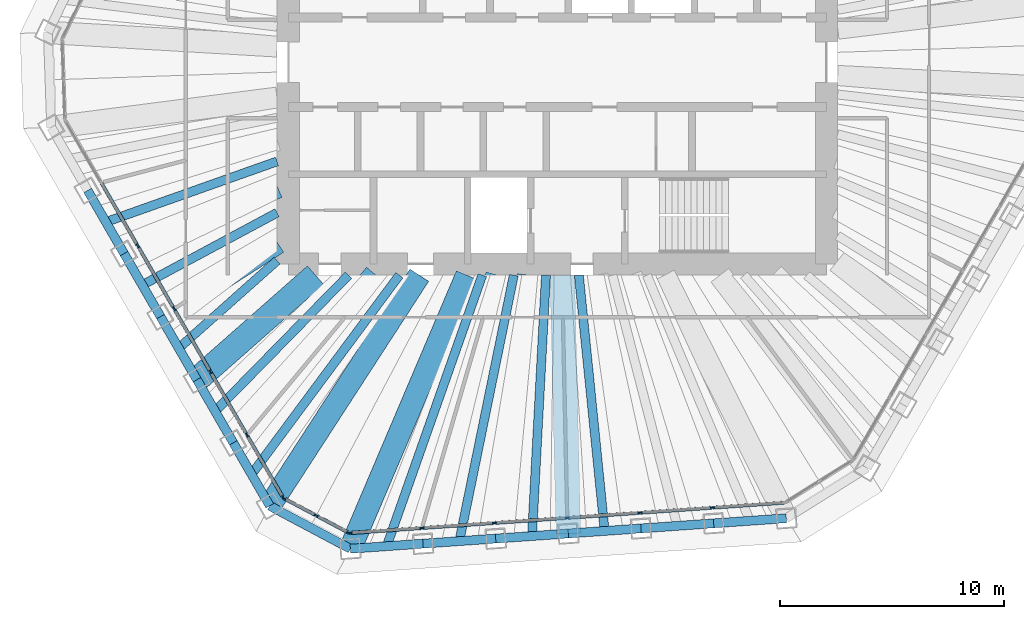
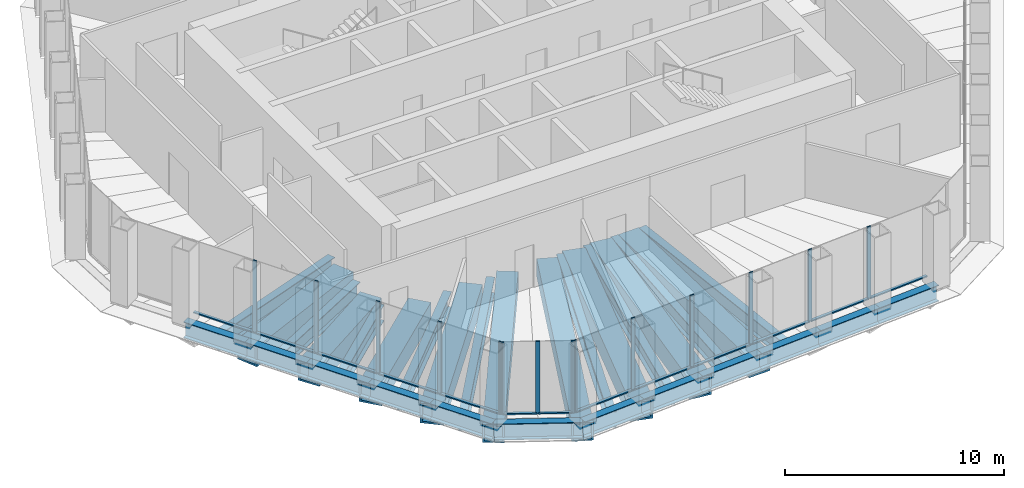
# One storey, part 2 of 14: 30 beams, 27 members, 3 elements without a shape of their own.
"""IFC4 building model written with IfcOpenShell, lengths in metres."""

import ifcopenshell
import ifcopenshell.guid

model = None  # the IFC model being written
_history = None  # IfcOwnerHistory: only IFC2X3 demands one
_inside = {}  # id of a spatial element -> (the spatial element, [elements in it])
_under = {}  # id of a project, library or spatial element -> (it, [spatial elements below it])
_declared = {}  # id of a project -> (the project, [libraries it declares])
_typed = {}  # id of a type object -> (the type object, [elements of that type])
_made_of = {}  # id of a material, layer set ... -> (it, [elements and type objects made of it])


def new_model(schema):
    """Start an empty IFC model of exactly this schema.

    Asked for "IFC4X3", IfcOpenShell would pick the latest addendum, in which some entities
    have other attributes; the version numbers below select the first issue.
    IFC2X3 requires an IfcOwnerHistory on every rooted entity: one is made here for all.
    """
    global model, _history
    if schema == "IFC4X3":
        model = ifcopenshell.file(schema_version=(4, 3, 0, 0))
    else:
        model = ifcopenshell.file(schema=schema)
    _inside.clear()
    _under.clear()
    _declared.clear()
    _typed.clear()
    _made_of.clear()
    _history = None
    if model.schema == "IFC2X3":
        org = make("IfcOrganization", Name="unknown")
        user = make(
            "IfcPersonAndOrganization",
            ThePerson=make("IfcPerson", FamilyName="unknown"),
            TheOrganization=org,
        )
        app = make(
            "IfcApplication",
            ApplicationDeveloper=org,
            Version="unknown",
            ApplicationFullName="unknown",
            ApplicationIdentifier="unknown",
        )
        _history = make(
            "IfcOwnerHistory",
            OwningUser=user,
            OwningApplication=app,
            ChangeAction="ADDED",
            CreationDate=0,
        )
    return model


def make(cls, **values):
    """One entity of the class cls with the attributes given. An attribute that is None is left unset."""
    return model.create_entity(
        cls, **{name: value for name, value in values.items() if value is not None}
    )


def rooted(cls, **values):
    """An entity with a GlobalId (a new one), such as an element, a storey or a relation."""
    return make(cls, GlobalId=ifcopenshell.guid.new(), OwnerHistory=_history, **values)


def si_unit(unit_type, name, prefix=None):
    """IfcSIUnit, for example si_unit("LENGTHUNIT", "METRE", prefix="MILLI")."""
    return make("IfcSIUnit", UnitType=unit_type, Prefix=prefix, Name=name)


def assignment(units):
    """IfcUnitAssignment: the units of a project."""
    return None if units is None else make("IfcUnitAssignment", Units=units)


def point(xyz):
    """IfcCartesianPoint."""
    return None if xyz is None else make("IfcCartesianPoint", Coordinates=xyz)


def direction(xyz):
    """IfcDirection."""
    return None if xyz is None else make("IfcDirection", DirectionRatios=xyz)


def frame(location, z_axis=None, x_axis=None):
    """IfcAxis2Placement3D, a coordinate frame: its origin and axes. An axis left out is left unset."""
    return make(
        "IfcAxis2Placement3D",
        Location=point(location),
        Axis=direction(z_axis),
        RefDirection=direction(x_axis),
    )


def frame_2d(location, x_axis=None):
    """IfcAxis2Placement2D, a coordinate frame in the plane: its origin and x axis."""
    return make(
        "IfcAxis2Placement2D", Location=point(location), RefDirection=direction(x_axis)
    )


def origin():
    """The frame at (0, 0, 0) with its axes left unset."""
    return frame((0.0, 0.0, 0.0))


def origin_2d():
    """The frame at (0, 0) in the plane with its x axis left unset."""
    return frame_2d((0.0, 0.0))


def place(relative_to, where):
    """IfcLocalPlacement: puts the frame where relative to a parent placement (None: the world)."""
    return make(
        "IfcLocalPlacement", PlacementRelTo=relative_to, RelativePlacement=where
    )


def context(
    kind, dimensions, precision=None, world=None, true_north=None, identifier=None
):
    """IfcGeometricRepresentationContext, for example the 3D "Model" context."""
    return make(
        "IfcGeometricRepresentationContext",
        ContextIdentifier=identifier,
        ContextType=kind,
        CoordinateSpaceDimension=dimensions,
        Precision=precision,
        WorldCoordinateSystem=world,
        TrueNorth=true_north,
    )


def subcontext(parent, identifier, kind, view, scale=None):
    """IfcGeometricRepresentationSubContext, for example "Body" below "Model"."""
    return make(
        "IfcGeometricRepresentationSubContext",
        ContextIdentifier=identifier,
        ContextType=kind,
        ParentContext=parent,
        TargetScale=scale,
        TargetView=view,
    )


def project(units=None, contexts=None):
    """IfcProject with its units and contexts."""
    return rooted(
        "IfcProject",
        Name="project",
        RepresentationContexts=contexts,
        UnitsInContext=assignment(units),
    )


def spatial(cls, under=None, at=None, **own):
    """A site, building, storey or space (cls), placed at a placement, below another one or the project."""
    s = rooted(cls, ObjectPlacement=at, **own)
    if under is not None:
        _under.setdefault(under.id(), (under, []))[1].append(s)
    return s


def profile(cls, at=None, kind="AREA", **sizes):
    """A parametric profile (cls). Its sizes go by their IFC names, for example OverallWidth=200.0."""
    return make(cls, ProfileType=kind, Position=at, **sizes)


def rectangle(**sizes):
    """IfcRectangleProfileDef."""
    return profile("IfcRectangleProfileDef", **sizes)


def hollow_rectangle(**sizes):
    """IfcRectangleHollowProfileDef."""
    return profile("IfcRectangleHollowProfileDef", **sizes)


def i_section(**sizes):
    """IfcIShapeProfileDef."""
    return profile("IfcIShapeProfileDef", **sizes)


def extrude(swept, where, along, depth):
    """IfcExtrudedAreaSolid: the profile swept, set in the frame where, extruded along a direction by depth."""
    return make(
        "IfcExtrudedAreaSolid",
        SweptArea=swept,
        Position=where,
        ExtrudedDirection=direction(along),
        Depth=depth,
    )


def shape(context_of_items, identifier, shape_type, items):
    """IfcShapeRepresentation: the items that make up one representation, for example the "Body"."""
    return make(
        "IfcShapeRepresentation",
        ContextOfItems=context_of_items,
        RepresentationIdentifier=identifier,
        RepresentationType=shape_type,
        Items=items,
    )


def material(Name=None, Category=None):
    """IfcMaterial."""
    return make("IfcMaterial", Name=Name, Category=Category)


def material_profile(
    of_material, cross_section, Name=None, Category=None, Priority=None
):
    """IfcMaterialProfile: a cross section and its material."""
    return make(
        "IfcMaterialProfile",
        Name=Name,
        Material=of_material,
        Profile=cross_section,
        Priority=Priority,
        Category=Category,
    )


def profile_set(profiles, Name=None, composite=None):
    """IfcMaterialProfileSet."""
    return make(
        "IfcMaterialProfileSet",
        Name=Name,
        MaterialProfiles=profiles,
        CompositeProfile=composite,
    )


def made_of(thing, what):
    """Note that an element or type object is made of a material, layer set ...; save() writes the relation."""
    if what is not None:
        _made_of.setdefault(what.id(), (what, []))[1].append(thing)
    return thing


def type_object(cls, material=None, **own):
    """A type object (cls), such as IfcWallType, which elements share."""
    return made_of(rooted(cls, **own), material)


def element(
    cls,
    number,
    at=None,
    inside=None,
    cuts=None,
    type_object=None,
    material=None,
    context=None,
    identifier="Body",
    shape_type=None,
    held_by="IfcProductDefinitionShape",
    body=None,
    shapes=None,
    **own,
):
    """One element of the class cls, such as IfcWall. Its Tag is "e" and its number.

    at: its placement. inside: the storey or other place that contains it. cuts: it is an
    opening in that element (IfcRelVoidsElement). A single representation is given by context,
    identifier, shape_type and body (its items); several are given by shapes. held_by: the class
    of the entity that holds the representations. save() writes the other relations.
    """
    e = rooted(cls, Tag="e%d" % number, ObjectPlacement=at, **own)
    if body is not None:
        shapes = [shape(context, identifier, shape_type, body)]
    if shapes is not None:
        e.Representation = make(held_by, Representations=shapes)
    if inside is not None:
        _inside.setdefault(inside.id(), (inside, []))[1].append(e)
    if cuts is not None:
        rooted(
            "IfcRelVoidsElement", RelatingBuildingElement=cuts, RelatedOpeningElement=e
        )
    if type_object is not None:
        _typed.setdefault(type_object.id(), (type_object, []))[1].append(e)
    return made_of(e, material)


def aggregate(whole, parts):
    """IfcRelAggregates: a whole, such as a stair, and the parts it consists of."""
    return rooted("IfcRelAggregates", RelatingObject=whole, RelatedObjects=parts)


def save(model, path):
    """Write the relations noted so far, then the file.

    IfcRelAggregates (storeys below a building ...), IfcRelContainedInSpatialStructure (elements
    in a storey), IfcRelDefinesByType, IfcRelAssociatesMaterial and IfcRelDeclares: one each for
    every whole, place, type object, material and project.
    """
    for whole, parts in _under.values():
        aggregate(whole, parts)
    for where, things in _inside.values():
        rooted(
            "IfcRelContainedInSpatialStructure",
            RelatedElements=things,
            RelatingStructure=where,
        )
    for kind, things in _typed.values():
        rooted("IfcRelDefinesByType", RelatedObjects=things, RelatingType=kind)
    for what, things in _made_of.values():
        rooted("IfcRelAssociatesMaterial", RelatedObjects=things, RelatingMaterial=what)
    for by, libraries in _declared.values():
        rooted("IfcRelDeclares", RelatingContext=by, RelatedDefinitions=libraries)
    model.write(path)


model = new_model("IFC4")

# Units and contexts
model_context = context("Model", 3, precision=1e-05, world=origin(), true_north=direction((0.0, 1.0)))
body_context = subcontext(model_context, "Body", "Model", "MODEL_VIEW")
ifc_project = project(units=[si_unit("LENGTHUNIT", "METRE"), si_unit("AREAUNIT", "SQUARE_METRE"), si_unit("VOLUMEUNIT", "CUBIC_METRE"), si_unit("PLANEANGLEUNIT", "RADIAN"), si_unit("MASSUNIT", "GRAM", prefix="KILO")], contexts=[model_context])

# Site, building, storey
site_placement = place(None, origin())
site = spatial("IfcSite", under=ifc_project, at=site_placement, CompositionType="ELEMENT")
building_placement = place(site_placement, origin())
building = spatial("IfcBuilding", under=site, at=building_placement, Name="Qingtian Harvest Tower", CompositionType="ELEMENT")
storey_placement = place(building_placement, frame((0.0, 0.0, 299.800048828125)))
storey = spatial("IfcBuildingStorey", under=building, at=storey_placement, Name="L66", CompositionType="ELEMENT", Elevation=299.800048828125)

# Beams
ifc_material_1 = material(Name="Steel SN490B", Category="steel")
ifc_material_profile_1 = material_profile(ifc_material_1, i_section(OverallWidth=0.39990234375, OverallDepth=0.89990234375, WebThickness=0.01904296875, FlangeThickness=0.035888671875, at=origin_2d()), Name="H900x400x19x36")
ifc_profile_set_1 = profile_set([ifc_material_profile_1], Name="Steel SN490B")
beam_type_1 = type_object("IfcBeamType", Name="Floor joist J4 H900x400x19x36", PredefinedType="JOIST", material=ifc_profile_set_1)
beam_1_placement = place(storey_placement, frame((2.109130859375, -20.90380859375, -0.6201171875), z_axis=(-0.100389444623, 0.994948219461, 0.0), x_axis=(-0.994948219461, -0.100389444623, 0.0)))
element("IfcBeam", 1, at=beam_1_placement, inside=storey, type_object=beam_type_1, Name="Floor joist J4 S2", PredefinedType="JOIST", context=body_context, shape_type="SweptSolid", body=[
    extrude(i_section(OverallWidth=0.39990234375, OverallDepth=0.89990234375, WebThickness=0.01904296875, FlangeThickness=0.035888671875, at=origin_2d()), origin(), (0.0, 0.0, 1.0), 11.461669921875),
])
beam_2_placement = place(storey_placement, frame((-1.130859375, -21.13037109375, -0.6201171875), z_axis=(0.053431269754, 0.998571529442, 0.0), x_axis=(-0.998571529442, 0.053431269754, 0.0)))
element("IfcBeam", 2, at=beam_2_placement, inside=storey, type_object=beam_type_1, Name="Floor joist J4 S3", PredefinedType="JOIST", context=body_context, shape_type="SweptSolid", body=[
    extrude(i_section(OverallWidth=0.39990234375, OverallDepth=0.89990234375, WebThickness=0.01904296875, FlangeThickness=0.035888671875, at=origin_2d()), origin(), (0.0, 0.0, 1.0), 11.64697265625),
])
beam_3_placement = place(storey_placement, frame((-4.37109375, -21.35693359375, -0.6201171875), z_axis=(0.20051328843, 0.979690982485, 0.0), x_axis=(-0.979690982485, 0.20051328843, 0.0)))
element("IfcBeam", 3, at=beam_3_placement, inside=storey, type_object=beam_type_1, Name="Floor joist J4 S4", PredefinedType="JOIST", context=body_context, shape_type="SweptSolid", body=[
    extrude(i_section(OverallWidth=0.39990234375, OverallDepth=0.89990234375, WebThickness=0.01904296875, FlangeThickness=0.035888671875, at=origin_2d()), origin(), (0.0, 0.0, 1.0), 12.102783203125),
])
beam_4_placement = place(storey_placement, frame((-7.611083984375, -21.58349609375, -0.6201171875), z_axis=(0.332557973755, 0.943082814016, 0.0), x_axis=(-0.943082814016, 0.332557973755, 0.0)))
element("IfcBeam", 4, at=beam_4_placement, inside=storey, type_object=beam_type_1, Name="Floor joist J4 S5", PredefinedType="JOIST", context=body_context, shape_type="SweptSolid", body=[
    extrude(i_section(OverallWidth=0.39990234375, OverallDepth=0.89990234375, WebThickness=0.01904296875, FlangeThickness=0.035888671875, at=origin_2d()), origin(), (0.0, 0.0, 1.0), 12.812744140625),
])
beam_5_placement = place(storey_placement, frame((-13.637451171875, -18.37939453125, -0.6201171875), z_axis=(0.59587265023, 0.80307894052, 0.0), x_axis=(-0.80307894052, 0.59587265023, 0.0)))
element("IfcBeam", 5, at=beam_5_placement, inside=storey, type_object=beam_type_1, Name="Floor joist J4 SW0", PredefinedType="JOIST", context=body_context, shape_type="SweptSolid", body=[
    extrude(i_section(OverallWidth=0.39990234375, OverallDepth=0.89990234375, WebThickness=0.01904296875, FlangeThickness=0.035888671875, at=origin_2d()), origin(), (0.0, 0.0, 1.0), 11.056640625),
])
beam_6_placement = place(storey_placement, frame((-15.261474609375, -15.56640625, -0.6201171875), z_axis=(0.700074571426, 0.714069740602, 0.0), x_axis=(-0.714069740602, 0.700074571426, 0.0)))
element("IfcBeam", 6, at=beam_6_placement, inside=storey, type_object=beam_type_1, Name="Floor joist J4 SW1", PredefinedType="JOIST", context=body_context, shape_type="SweptSolid", body=[
    extrude(i_section(OverallWidth=0.39990234375, OverallDepth=0.89990234375, WebThickness=0.01904296875, FlangeThickness=0.035888671875, at=origin_2d()), origin(), (0.0, 0.0, 1.0), 8.49560546875),
])
beam_7_placement = place(storey_placement, frame((-16.885498046875, -12.753662109375, -0.6201171875), z_axis=(0.746957180478, 0.664872146004, 0.0), x_axis=(-0.664872146004, 0.746957180478, 0.0)))
element("IfcBeam", 7, at=beam_7_placement, inside=storey, type_object=beam_type_1, Name="Floor joist J4 SW2", PredefinedType="JOIST", context=body_context, shape_type="SweptSolid", body=[
    extrude(i_section(OverallWidth=0.39990234375, OverallDepth=0.89990234375, WebThickness=0.01904296875, FlangeThickness=0.035888671875, at=origin_2d()), origin(), (0.0, 0.0, 1.0), 5.87109375),
])
beam_8_placement = place(storey_placement, frame((-18.509521484375, -9.940673828125, -0.6201171875), z_axis=(0.880981997123, 0.473149786795, 0.0), x_axis=(-0.473149786795, 0.880981997123, 0.0)))
element("IfcBeam", 8, at=beam_8_placement, inside=storey, type_object=beam_type_1, Name="Floor joist J4 SW3", PredefinedType="JOIST", context=body_context, shape_type="SweptSolid", body=[
    extrude(i_section(OverallWidth=0.39990234375, OverallDepth=0.89990234375, WebThickness=0.01904296875, FlangeThickness=0.035888671875, at=origin_2d()), origin(), (0.0, 0.0, 1.0), 6.8212890625),
])
beam_9_placement = place(storey_placement, frame((-20.133544921875, -7.1279296875, -0.6201171875), z_axis=(0.942662600818, 0.333747241215, 0.0), x_axis=(-0.333747241215, 0.942662600818, 0.0)))
element("IfcBeam", 9, at=beam_9_placement, inside=storey, type_object=beam_type_1, Name="Floor joist J4 SW4", PredefinedType="JOIST", context=body_context, shape_type="SweptSolid", body=[
    extrude(i_section(OverallWidth=0.39990234375, OverallDepth=0.89990234375, WebThickness=0.01904296875, FlangeThickness=0.035888671875, at=origin_2d()), origin(), (0.0, 0.0, 1.0), 8.097900390625),
])

# Curtain wall, members
ifc_material_2 = material(Name="Bronze-anodised aluminium curtain wall", Category="aluminium")
curtain_wall_type = type_object("IfcCurtainWallType", Name="Curtain wall CW5 upper office", PredefinedType="USERDEFINED", material=ifc_material_2)
curtain_wall_1_placement = place(storey_placement, origin())
curtain_wall_1 = element("IfcCurtainWall", 10, at=curtain_wall_1_placement, inside=storey, type_object=curtain_wall_type, Name="Curtain wall CW5 L66 S0-5", ObjectType="RECESSED CURTAIN WALL", PredefinedType="USERDEFINED")
ifc_material_3 = material(Name="Bronze-anodised aluminium mullion", Category="aluminium")
ifc_material_profile_2 = material_profile(ifc_material_3, rectangle(XDim=0.06494140625, YDim=0.199951171875, at=origin_2d()), Name="AL 65x200")
ifc_profile_set_2 = profile_set([ifc_material_profile_2], Name="Bronze-anodised aluminium mullion")
member_type_1 = type_object("IfcMemberType", Name="Mullion CWM 65x200", PredefinedType="MULLION", material=ifc_profile_set_2)
member_1_placement = place(storey_placement, frame((6.92041015625, -19.86572265625, 0.0), z_axis=(0.0, 0.0, 1.0), x_axis=(0.069756473744, -0.99756405026, 0.0)))
member_1 = element("IfcMember", 11, at=member_1_placement, type_object=member_type_1, Name="CW5 mullion 2", PredefinedType="MULLION", context=body_context, shape_type="SweptSolid", body=[
    extrude(rectangle(XDim=0.06494140625, YDim=0.199951171875, at=origin_2d()), origin(), (0.0, 0.0, 1.0), 4.030029296875),
])
member_2_placement = place(storey_placement, frame((3.680419921875, -20.09228515625, 0.0), z_axis=(0.0, 0.0, 1.0), x_axis=(0.069756473744, -0.99756405026, 0.0)))
member_2 = element("IfcMember", 12, at=member_2_placement, type_object=member_type_1, Name="CW5 mullion 3", PredefinedType="MULLION", context=body_context, shape_type="SweptSolid", body=[
    extrude(rectangle(XDim=0.06494140625, YDim=0.199951171875, at=origin_2d()), origin(), (0.0, 0.0, 1.0), 4.030029296875),
])
member_3_placement = place(storey_placement, frame((0.440185546875, -20.31884765625, 0.0), z_axis=(0.0, 0.0, 1.0), x_axis=(0.069756473744, -0.99756405026, 0.0)))
member_3 = element("IfcMember", 13, at=member_3_placement, type_object=member_type_1, Name="CW5 mullion 4", PredefinedType="MULLION", context=body_context, shape_type="SweptSolid", body=[
    extrude(rectangle(XDim=0.06494140625, YDim=0.199951171875, at=origin_2d()), origin(), (0.0, 0.0, 1.0), 4.030029296875),
])
member_4_placement = place(storey_placement, frame((-2.7998046875, -20.54541015625, 0.0), z_axis=(0.0, 0.0, 1.0), x_axis=(0.069756473744, -0.99756405026, 0.0)))
member_4 = element("IfcMember", 14, at=member_4_placement, type_object=member_type_1, Name="CW5 mullion 5", PredefinedType="MULLION", context=body_context, shape_type="SweptSolid", body=[
    extrude(rectangle(XDim=0.06494140625, YDim=0.199951171875, at=origin_2d()), origin(), (0.0, 0.0, 1.0), 4.030029296875),
])
member_5_placement = place(storey_placement, frame((-6.0400390625, -20.77197265625, 0.0), z_axis=(0.0, 0.0, 1.0), x_axis=(0.069756473744, -0.99756405026, 0.0)))
member_5 = element("IfcMember", 15, at=member_5_placement, type_object=member_type_1, Name="CW5 mullion 6", PredefinedType="MULLION", context=body_context, shape_type="SweptSolid", body=[
    extrude(rectangle(XDim=0.06494140625, YDim=0.199951171875, at=origin_2d()), origin(), (0.0, 0.0, 1.0), 4.030029296875),
])
member_6_placement = place(storey_placement, frame((-9.24755859375, -20.996337890625, 0.0), z_axis=(0.0, 0.0, 1.0), x_axis=(0.069756473744, -0.99756405026, 0.0)))
member_6 = element("IfcMember", 16, at=member_6_placement, type_object=member_type_1, Name="CW5 mullion 7", PredefinedType="MULLION", context=body_context, shape_type="SweptSolid", body=[
    extrude(rectangle(XDim=0.06494140625, YDim=0.199951171875, at=origin_2d()), origin(), (0.0, 0.0, 1.0), 4.030029296875),
])

curtain_wall_2_placement = place(storey_placement, origin())
curtain_wall_2 = element("IfcCurtainWall", 17, at=curtain_wall_2_placement, inside=storey, type_object=curtain_wall_type, Name="Curtain wall CW5 L66 SC", ObjectType="RECESSED CURTAIN WALL", PredefinedType="USERDEFINED")
member_7_placement = place(storey_placement, frame((-9.308837890625, -20.983154296875, 0.0), z_axis=(0.0, 0.0, 1.0), x_axis=(-0.469471562786, -0.882947592859, 0.0)))
member_7 = element("IfcMember", 18, at=member_7_placement, type_object=member_type_1, Name="CW5 mullion 1", PredefinedType="MULLION", context=body_context, shape_type="SweptSolid", body=[
    extrude(rectangle(XDim=0.06494140625, YDim=0.199951171875, at=origin_2d()), origin(), (0.0, 0.0, 1.0), 4.030029296875),
])
member_8_placement = place(storey_placement, frame((-10.749755859375, -20.217041015625, 0.0), z_axis=(0.0, 0.0, 1.0), x_axis=(-0.469471562786, -0.882947592859, 0.0)))
member_8 = element("IfcMember", 19, at=member_8_placement, type_object=member_type_1, Name="CW5 mullion 2", PredefinedType="MULLION", context=body_context, shape_type="SweptSolid", body=[
    extrude(rectangle(XDim=0.06494140625, YDim=0.199951171875, at=origin_2d()), origin(), (0.0, 0.0, 1.0), 4.030029296875),
])
member_9_placement = place(storey_placement, frame((-12.1904296875, -19.450927734375, 0.0), z_axis=(0.0, 0.0, 1.0), x_axis=(-0.469471562786, -0.882947592859, 0.0)))
member_9 = element("IfcMember", 20, at=member_9_placement, type_object=member_type_1, Name="CW5 mullion 3", PredefinedType="MULLION", context=body_context, shape_type="SweptSolid", body=[
    extrude(rectangle(XDim=0.06494140625, YDim=0.199951171875, at=origin_2d()), origin(), (0.0, 0.0, 1.0), 4.030029296875),
])

curtain_wall_3_placement = place(storey_placement, origin())
curtain_wall_3 = element("IfcCurtainWall", 21, at=curtain_wall_3_placement, inside=storey, type_object=curtain_wall_type, Name="Curtain wall CW5 L66 SW0-5", ObjectType="RECESSED CURTAIN WALL", PredefinedType="USERDEFINED")
member_10_placement = place(storey_placement, frame((-12.2353515625, -19.40771484375, 0.0), z_axis=(0.0, 0.0, 1.0), x_axis=(-0.866025403784, -0.5, 0.0)))
member_10 = element("IfcMember", 22, at=member_10_placement, type_object=member_type_1, Name="CW5 mullion 1", PredefinedType="MULLION", context=body_context, shape_type="SweptSolid", body=[
    extrude(rectangle(XDim=0.06494140625, YDim=0.199951171875, at=origin_2d()), origin(), (0.0, 0.0, 1.0), 4.030029296875),
])
member_11_placement = place(storey_placement, frame((-13.84326171875, -16.622802734375, 0.0), z_axis=(0.0, 0.0, 1.0), x_axis=(-0.866025403784, -0.5, 0.0)))
member_11 = element("IfcMember", 23, at=member_11_placement, type_object=member_type_1, Name="CW5 mullion 2", PredefinedType="MULLION", context=body_context, shape_type="SweptSolid", body=[
    extrude(rectangle(XDim=0.06494140625, YDim=0.199951171875, at=origin_2d()), origin(), (0.0, 0.0, 1.0), 4.030029296875),
])
member_12_placement = place(storey_placement, frame((-15.46728515625, -13.81005859375, 0.0), z_axis=(0.0, 0.0, 1.0), x_axis=(-0.866025403784, -0.5, 0.0)))
member_12 = element("IfcMember", 24, at=member_12_placement, type_object=member_type_1, Name="CW5 mullion 3", PredefinedType="MULLION", context=body_context, shape_type="SweptSolid", body=[
    extrude(rectangle(XDim=0.06494140625, YDim=0.199951171875, at=origin_2d()), origin(), (0.0, 0.0, 1.0), 4.030029296875),
])
member_13_placement = place(storey_placement, frame((-17.09130859375, -10.9970703125, 0.0), z_axis=(0.0, 0.0, 1.0), x_axis=(-0.866025403784, -0.5, 0.0)))
member_13 = element("IfcMember", 25, at=member_13_placement, type_object=member_type_1, Name="CW5 mullion 4", PredefinedType="MULLION", context=body_context, shape_type="SweptSolid", body=[
    extrude(rectangle(XDim=0.06494140625, YDim=0.199951171875, at=origin_2d()), origin(), (0.0, 0.0, 1.0), 4.030029296875),
])
member_14_placement = place(storey_placement, frame((-18.71533203125, -8.184326171875, 0.0), z_axis=(0.0, 0.0, 1.0), x_axis=(-0.866025403784, -0.5, 0.0)))
member_14 = element("IfcMember", 26, at=member_14_placement, type_object=member_type_1, Name="CW5 mullion 5", PredefinedType="MULLION", context=body_context, shape_type="SweptSolid", body=[
    extrude(rectangle(XDim=0.06494140625, YDim=0.199951171875, at=origin_2d()), origin(), (0.0, 0.0, 1.0), 4.030029296875),
])

# Beams
ifc_material_4 = material(Name="Steel SN490B", Category="steel")
ifc_material_profile_3 = material_profile(ifc_material_4, i_section(OverallWidth=0.39990234375, OverallDepth=0.89990234375, WebThickness=0.01904296875, FlangeThickness=0.035888671875, at=origin_2d()), Name="H900x400x19x36")
ifc_profile_set_3 = profile_set([ifc_material_profile_3], Name="Steel SN490B")
beam_type_2 = type_object("IfcBeamType", Name="Spandrel beam SB4 H900x400x19x36", PredefinedType="SPANDREL", material=ifc_profile_set_3)
beam_10_placement = place(storey_placement, frame((10.20947265625, -20.33740234375, -0.449951171875), z_axis=(-0.9975644093, -0.069751339047, 0.0), x_axis=(0.069751339047, -0.9975644093, 0.0)))
element("IfcBeam", 27, at=beam_10_placement, inside=storey, type_object=beam_type_2, Name="Spandrel SB4 S0", PredefinedType="SPANDREL", context=body_context, shape_type="SweptSolid", body=[
    extrude(i_section(OverallWidth=0.39990234375, OverallDepth=0.89990234375, WebThickness=0.01904296875, FlangeThickness=0.035888671875, at=origin_2d()), origin(), (0.0, 0.0, 1.0), 3.248046875),
])
beam_11_placement = place(storey_placement, frame((6.96923828125, -20.56396484375, -0.449951171875), z_axis=(-0.997564043571, -0.069756569394, 0.0), x_axis=(0.069756569394, -0.997564043571, 0.0)))
element("IfcBeam", 28, at=beam_11_placement, inside=storey, type_object=beam_type_2, Name="Spandrel SB4 S1", PredefinedType="SPANDREL", context=body_context, shape_type="SweptSolid", body=[
    extrude(i_section(OverallWidth=0.39990234375, OverallDepth=0.89990234375, WebThickness=0.01904296875, FlangeThickness=0.035888671875, at=origin_2d()), origin(), (0.0, 0.0, 1.0), 3.247802734375),
])
beam_12_placement = place(storey_placement, frame((3.729248046875, -20.79052734375, -0.449951171875), z_axis=(-0.9975644093, -0.069751339047, 0.0), x_axis=(0.069751339047, -0.9975644093, 0.0)))
element("IfcBeam", 29, at=beam_12_placement, inside=storey, type_object=beam_type_2, Name="Spandrel SB4 S2", PredefinedType="SPANDREL", context=body_context, shape_type="SweptSolid", body=[
    extrude(i_section(OverallWidth=0.39990234375, OverallDepth=0.89990234375, WebThickness=0.01904296875, FlangeThickness=0.035888671875, at=origin_2d()), origin(), (0.0, 0.0, 1.0), 3.248046875),
])
beam_13_placement = place(storey_placement, frame((0.489013671875, -21.01708984375, -0.449951171875), z_axis=(-0.997564043571, -0.069756569394, 0.0), x_axis=(0.069756569394, -0.997564043571, 0.0)))
element("IfcBeam", 30, at=beam_13_placement, inside=storey, type_object=beam_type_2, Name="Spandrel SB4 S3", PredefinedType="SPANDREL", context=body_context, shape_type="SweptSolid", body=[
    extrude(i_section(OverallWidth=0.39990234375, OverallDepth=0.89990234375, WebThickness=0.01904296875, FlangeThickness=0.035888671875, at=origin_2d()), origin(), (0.0, 0.0, 1.0), 3.247802734375),
])
beam_14_placement = place(storey_placement, frame((-2.7509765625, -21.24365234375, -0.449951171875), z_axis=(-0.9975644093, -0.069751339047, 0.0), x_axis=(0.069751339047, -0.9975644093, 0.0)))
element("IfcBeam", 31, at=beam_14_placement, inside=storey, type_object=beam_type_2, Name="Spandrel SB4 S4", PredefinedType="SPANDREL", context=body_context, shape_type="SweptSolid", body=[
    extrude(i_section(OverallWidth=0.39990234375, OverallDepth=0.89990234375, WebThickness=0.01904296875, FlangeThickness=0.035888671875, at=origin_2d()), origin(), (0.0, 0.0, 1.0), 3.248046875),
])
beam_15_placement = place(storey_placement, frame((-5.9912109375, -21.47021484375, -0.449951171875), z_axis=(-0.997564043571, -0.069756569394, 0.0), x_axis=(0.069756569394, -0.997564043571, 0.0)))
element("IfcBeam", 32, at=beam_15_placement, inside=storey, type_object=beam_type_2, Name="Spandrel SB4 S5", PredefinedType="SPANDREL", context=body_context, shape_type="SweptSolid", body=[
    extrude(i_section(OverallWidth=0.39990234375, OverallDepth=0.89990234375, WebThickness=0.01904296875, FlangeThickness=0.035888671875, at=origin_2d()), origin(), (0.0, 0.0, 1.0), 3.247802734375),
])
beam_16_placement = place(storey_placement, frame((-9.231201171875, -21.69677734375, -0.449951171875), z_axis=(-0.882943273379, 0.469479686456, 0.0), x_axis=(-0.469479686456, -0.882943273379, 0.0)))
element("IfcBeam", 33, at=beam_16_placement, inside=storey, type_object=beam_type_2, Name="Spandrel SB4 SC", PredefinedType="SPANDREL", context=body_context, shape_type="SweptSolid", body=[
    extrude(i_section(OverallWidth=0.39990234375, OverallDepth=0.89990234375, WebThickness=0.01904296875, FlangeThickness=0.035888671875, at=origin_2d()), origin(), (0.0, 0.0, 1.0), 4.07080078125),
])
beam_17_placement = place(storey_placement, frame((-12.825439453125, -19.78564453125, -0.449951171875), z_axis=(-0.500019593356, 0.866014091259, 0.0), x_axis=(-0.866014091259, -0.500019593356, 0.0)))
element("IfcBeam", 34, at=beam_17_placement, inside=storey, type_object=beam_type_2, Name="Spandrel SB4 SW0", PredefinedType="SPANDREL", context=body_context, shape_type="SweptSolid", body=[
    extrude(i_section(OverallWidth=0.39990234375, OverallDepth=0.89990234375, WebThickness=0.01904296875, FlangeThickness=0.035888671875, at=origin_2d()), origin(), (0.0, 0.0, 1.0), 3.247802734375),
])
beam_18_placement = place(storey_placement, frame((-14.449462890625, -16.972900390625, -0.449951171875), z_axis=(-0.499987045439, 0.866032882975, 0.0), x_axis=(-0.866032882975, -0.499987045439, 0.0)))
element("IfcBeam", 35, at=beam_18_placement, inside=storey, type_object=beam_type_2, Name="Spandrel SB4 SW1", PredefinedType="SPANDREL", context=body_context, shape_type="SweptSolid", body=[
    extrude(i_section(OverallWidth=0.39990234375, OverallDepth=0.89990234375, WebThickness=0.01904296875, FlangeThickness=0.035888671875, at=origin_2d()), origin(), (0.0, 0.0, 1.0), 3.248046875),
])
beam_19_placement = place(storey_placement, frame((-16.073486328125, -14.159912109375, -0.449951171875), z_axis=(-0.500019593356, 0.866014091259, 0.0), x_axis=(-0.866014091259, -0.500019593356, 0.0)))
element("IfcBeam", 36, at=beam_19_placement, inside=storey, type_object=beam_type_2, Name="Spandrel SB4 SW2", PredefinedType="SPANDREL", context=body_context, shape_type="SweptSolid", body=[
    extrude(i_section(OverallWidth=0.39990234375, OverallDepth=0.89990234375, WebThickness=0.01904296875, FlangeThickness=0.035888671875, at=origin_2d()), origin(), (0.0, 0.0, 1.0), 3.247802734375),
])
beam_20_placement = place(storey_placement, frame((-17.697509765625, -11.34716796875, -0.449951171875), z_axis=(-0.499987045439, 0.866032882975, 0.0), x_axis=(-0.866032882975, -0.499987045439, 0.0)))
element("IfcBeam", 37, at=beam_20_placement, inside=storey, type_object=beam_type_2, Name="Spandrel SB4 SW3", PredefinedType="SPANDREL", context=body_context, shape_type="SweptSolid", body=[
    extrude(i_section(OverallWidth=0.39990234375, OverallDepth=0.89990234375, WebThickness=0.01904296875, FlangeThickness=0.035888671875, at=origin_2d()), origin(), (0.0, 0.0, 1.0), 3.248046875),
])
beam_21_placement = place(storey_placement, frame((-19.321533203125, -8.5341796875, -0.449951171875), z_axis=(-0.500019593356, 0.866014091259, 0.0), x_axis=(-0.866014091259, -0.500019593356, 0.0)))
element("IfcBeam", 38, at=beam_21_placement, inside=storey, type_object=beam_type_2, Name="Spandrel SB4 SW4", PredefinedType="SPANDREL", context=body_context, shape_type="SweptSolid", body=[
    extrude(i_section(OverallWidth=0.39990234375, OverallDepth=0.89990234375, WebThickness=0.01904296875, FlangeThickness=0.035888671875, at=origin_2d()), origin(), (0.0, 0.0, 1.0), 3.247802734375),
])
ifc_material_5 = material(Name="Steel SM570MC", Category="steel")
ifc_material_profile_4 = material_profile(ifc_material_5, hollow_rectangle(XDim=1.0, YDim=1.0, WallThickness=0.080078125, at=origin_2d()), Name="BOX1000x1000x80")
ifc_profile_set_4 = profile_set([ifc_material_profile_4], Name="Steel SM570MC")
beam_type_3 = type_object("IfcBeamType", Name="Transfer corner beam FB11 BOX1000x1000x80", PredefinedType="BEAM", material=ifc_profile_set_4)
beam_22_placement = place(storey_placement, frame((-9.231201171875, -21.69677734375, -0.670166015625), z_axis=(0.391497096334, 0.920179343151, 0.0), x_axis=(-0.920179343151, 0.391497096334, 0.0)))
element("IfcBeam", 39, at=beam_22_placement, inside=storey, type_object=beam_type_3, Name="Floor beam FB11 S6", PredefinedType="BEAM", context=body_context, shape_type="SweptSolid", body=[
    extrude(hollow_rectangle(XDim=1.0, YDim=1.0, WallThickness=0.080078125, at=origin_2d()), origin(), (0.0, 0.0, 1.0), 13.2548828125),
])
beam_23_placement = place(storey_placement, frame((-12.825439453125, -19.78564453125, -0.670166015625), z_axis=(0.543944801957, 0.83912099987, 0.0), x_axis=(-0.83912099987, 0.543944801957, 0.0)))
element("IfcBeam", 40, at=beam_23_placement, inside=storey, type_object=beam_type_3, Name="Floor beam FB11 SW0", PredefinedType="BEAM", context=body_context, shape_type="SweptSolid", body=[
    extrude(hollow_rectangle(XDim=1.0, YDim=1.0, WallThickness=0.080078125, at=origin_2d()), origin(), (0.0, 0.0, 1.0), 12.257568359375),
])
ifc_material_6 = material(Name="Steel SM570MC", Category="steel")
ifc_material_profile_5 = material_profile(ifc_material_6, hollow_rectangle(XDim=1.10009765625, YDim=1.10009765625, WallThickness=0.10009765625, at=origin_2d()), Name="BOX1100x1100x100")
ifc_profile_set_5 = profile_set([ifc_material_profile_5], Name="Steel SM570MC")
beam_type_4 = type_object("IfcBeamType", Name="Transfer floor beam FB9 BOX1100x1100x100", PredefinedType="BEAM", material=ifc_profile_set_5)
beam_24_placement = place(storey_placement, frame((0.489013671875, -21.01708984375, -0.719970703125), z_axis=(-0.023248050009, 0.999729727562, 0.0), x_axis=(-0.999729727562, -0.023248050009, 0.0)))
element("IfcBeam", 41, at=beam_24_placement, inside=storey, type_object=beam_type_4, Name="Floor beam FB9 S3", PredefinedType="BEAM", context=body_context, shape_type="SweptSolid", body=[
    extrude(hollow_rectangle(XDim=1.10009765625, YDim=1.10009765625, WallThickness=0.10009765625, at=origin_2d()), origin(), (0.0, 0.0, 1.0), 11.520263671875),
])
beam_25_placement = place(storey_placement, frame((-2.7509765625, -21.24365234375, -0.719970703125), z_axis=(0.128423358095, 0.991719436683, 0.0), x_axis=(-0.991719436683, 0.128423358095, 0.0)))
element("IfcBeam", 42, at=beam_25_placement, inside=storey, type_object=beam_type_4, Name="Floor beam FB9 S4", PredefinedType="BEAM", context=body_context, shape_type="SweptSolid", body=[
    extrude(hollow_rectangle(XDim=1.10009765625, YDim=1.10009765625, WallThickness=0.10009765625, at=origin_2d()), origin(), (0.0, 0.0, 1.0), 11.841796875),
])
beam_26_placement = place(storey_placement, frame((-5.9912109375, -21.47021484375, -0.719970703125), z_axis=(0.268784556761, 0.963200322906, 0.0), x_axis=(-0.963200322906, 0.268784556761, 0.0)))
element("IfcBeam", 43, at=beam_26_placement, inside=storey, type_object=beam_type_4, Name="Floor beam FB9 S5", PredefinedType="BEAM", context=body_context, shape_type="SweptSolid", body=[
    extrude(hollow_rectangle(XDim=1.10009765625, YDim=1.10009765625, WallThickness=0.10009765625, at=origin_2d()), origin(), (0.0, 0.0, 1.0), 12.427490234375),
])
beam_27_placement = place(storey_placement, frame((-14.449462890625, -16.972900390625, -0.719970703125), z_axis=(0.64823096823, 0.761443768001, 0.0), x_axis=(-0.761443768001, 0.64823096823, 0.0)))
element("IfcBeam", 44, at=beam_27_placement, inside=storey, type_object=beam_type_4, Name="Floor beam FB9 SW1", PredefinedType="BEAM", context=body_context, shape_type="SweptSolid", body=[
    extrude(hollow_rectangle(XDim=1.10009765625, YDim=1.10009765625, WallThickness=0.10009765625, at=origin_2d()), origin(), (0.0, 0.0, 1.0), 9.814208984375),
])
beam_28_placement = place(storey_placement, frame((-16.073486328125, -14.159912109375, -0.719970703125), z_axis=(0.75036921961, 0.661018936387, 0.0), x_axis=(-0.661018936387, 0.75036921961, 0.0)))
element("IfcBeam", 45, at=beam_28_placement, inside=storey, type_object=beam_type_4, Name="Floor beam FB9 SW2", PredefinedType="BEAM", context=body_context, shape_type="SweptSolid", body=[
    extrude(hollow_rectangle(XDim=1.10009765625, YDim=1.10009765625, WallThickness=0.10009765625, at=origin_2d()), origin(), (0.0, 0.0, 1.0), 7.049560546875),
])
beam_29_placement = place(storey_placement, frame((-17.697509765625, -11.34716796875, -0.719970703125), z_axis=(0.841821552392, 0.539755939225, 0.0), x_axis=(-0.539755939225, 0.841821552392, 0.0)))
element("IfcBeam", 46, at=beam_29_placement, inside=storey, type_object=beam_type_4, Name="Floor beam FB9 SW3", PredefinedType="BEAM", context=body_context, shape_type="SweptSolid", body=[
    extrude(hollow_rectangle(XDim=1.10009765625, YDim=1.10009765625, WallThickness=0.10009765625, at=origin_2d()), origin(), (0.0, 0.0, 1.0), 6.174072265625),
])
beam_30_placement = place(storey_placement, frame((-19.321533203125, -8.5341796875, -0.719970703125), z_axis=(0.914747389649, 0.404026253021, 0.0), x_axis=(-0.404026253021, 0.914747389649, 0.0)))
element("IfcBeam", 47, at=beam_30_placement, inside=storey, type_object=beam_type_4, Name="Floor beam FB9 SW4", PredefinedType="BEAM", context=body_context, shape_type="SweptSolid", body=[
    extrude(hollow_rectangle(XDim=1.10009765625, YDim=1.10009765625, WallThickness=0.10009765625, at=origin_2d()), origin(), (0.0, 0.0, 1.0), 7.457275390625),
])

# Member
ifc_material_7 = material(Name="Bronze-anodised aluminium transom", Category="aluminium")
ifc_material_profile_6 = material_profile(ifc_material_7, rectangle(XDim=0.14990234375, YDim=0.06494140625, at=origin_2d()), Name="AL 65x150")
ifc_profile_set_6 = profile_set([ifc_material_profile_6], Name="Bronze-anodised aluminium transom")
member_type_2 = type_object("IfcMemberType", Name="Transom CWT 65x150", PredefinedType="USERDEFINED", material=ifc_profile_set_6)
member_15_placement = place(storey_placement, frame((10.095703125, -19.6435546875, 0.032470703125), z_axis=(-0.997564955301, -0.069743529851, 0.0), x_axis=(0.069743529851, -0.997564955301, 0.0)))
member_15 = element("IfcMember", 48, at=member_15_placement, type_object=member_type_2, Name="CW5 transom 1.1", ObjectType="TRANSOM", PredefinedType="USERDEFINED", context=body_context, shape_type="SweptSolid", body=[
    extrude(rectangle(XDim=0.14990234375, YDim=0.06494140625, at=origin_2d()), origin(), (0.0, 0.0, 1.0), 3.150390625),
])

member_16_placement = place(storey_placement, frame((6.88818359375, -19.867919921875, 0.032470703125), z_axis=(-0.997566548107, -0.069720743674, 0.0), x_axis=(0.069720743674, -0.997566548107, 0.0)))
member_16 = element("IfcMember", 49, at=member_16_placement, type_object=member_type_2, Name="CW5 transom 2.1", ObjectType="TRANSOM", PredefinedType="USERDEFINED", context=body_context, shape_type="SweptSolid", body=[
    extrude(rectangle(XDim=0.14990234375, YDim=0.06494140625, at=origin_2d()), origin(), (0.0, 0.0, 1.0), 3.18310546875),
])

member_17_placement = place(storey_placement, frame((3.64794921875, -20.094482421875, 0.032470703125), z_axis=(-0.997566548107, -0.069720743674, 0.0), x_axis=(0.069720743674, -0.997566548107, 0.0)))
member_17 = element("IfcMember", 50, at=member_17_placement, type_object=member_type_2, Name="CW5 transom 3.1", ObjectType="TRANSOM", PredefinedType="USERDEFINED", context=body_context, shape_type="SweptSolid", body=[
    extrude(rectangle(XDim=0.14990234375, YDim=0.06494140625, at=origin_2d()), origin(), (0.0, 0.0, 1.0), 3.18310546875),
])

member_18_placement = place(storey_placement, frame((0.407958984375, -20.321044921875, 0.032470703125), z_axis=(-0.997566548107, -0.069720743674, 0.0), x_axis=(0.069720743674, -0.997566548107, 0.0)))
member_18 = element("IfcMember", 51, at=member_18_placement, type_object=member_type_2, Name="CW5 transom 4.1", ObjectType="TRANSOM", PredefinedType="USERDEFINED", context=body_context, shape_type="SweptSolid", body=[
    extrude(rectangle(XDim=0.14990234375, YDim=0.06494140625, at=origin_2d()), origin(), (0.0, 0.0, 1.0), 3.18310546875),
])

member_19_placement = place(storey_placement, frame((-2.832275390625, -20.547607421875, 0.032470703125), z_axis=(-0.997561210613, -0.06979707071, 0.0), x_axis=(0.06979707071, -0.997561210613, 0.0)))
member_19 = element("IfcMember", 52, at=member_19_placement, type_object=member_type_2, Name="CW5 transom 5.1", ObjectType="TRANSOM", PredefinedType="USERDEFINED", context=body_context, shape_type="SweptSolid", body=[
    extrude(rectangle(XDim=0.14990234375, YDim=0.06494140625, at=origin_2d()), origin(), (0.0, 0.0, 1.0), 3.18310546875),
])

member_20_placement = place(storey_placement, frame((-6.072509765625, -20.774169921875, 0.032470703125), z_axis=(-0.997564955301, -0.069743529851, 0.0), x_axis=(0.069743529851, -0.997564955301, 0.0)))
member_20 = element("IfcMember", 53, at=member_20_placement, type_object=member_type_2, Name="CW5 transom 6.1", ObjectType="TRANSOM", PredefinedType="USERDEFINED", context=body_context, shape_type="SweptSolid", body=[
    extrude(rectangle(XDim=0.14990234375, YDim=0.06494140625, at=origin_2d()), origin(), (0.0, 0.0, 1.0), 3.150390625),
])

aggregate(curtain_wall_1, [member_1, member_2, member_3, member_4, member_5, member_6, member_15, member_16, member_17, member_18, member_19, member_20])

member_21_placement = place(storey_placement, frame((-9.33740234375, -20.968017578125, 0.032470703125), z_axis=(-0.882960338349, 0.46944759122, 0.0), x_axis=(-0.46944759122, -0.882960338349, 0.0)))
member_21 = element("IfcMember", 54, at=member_21_placement, type_object=member_type_2, Name="CW5 transom 1.1", ObjectType="TRANSOM", PredefinedType="USERDEFINED", context=body_context, shape_type="SweptSolid", body=[
    extrude(rectangle(XDim=0.14990234375, YDim=0.06494140625, at=origin_2d()), origin(), (0.0, 0.0, 1.0), 1.56689453125),
])

member_22_placement = place(storey_placement, frame((-10.7783203125, -20.201904296875, 0.032470703125), z_axis=(-0.882960338349, 0.46944759122, 0.0), x_axis=(-0.46944759122, -0.882960338349, 0.0)))
member_22 = element("IfcMember", 55, at=member_22_placement, type_object=member_type_2, Name="CW5 transom 2.1", ObjectType="TRANSOM", PredefinedType="USERDEFINED", context=body_context, shape_type="SweptSolid", body=[
    extrude(rectangle(XDim=0.14990234375, YDim=0.06494140625, at=origin_2d()), origin(), (0.0, 0.0, 1.0), 1.56689453125),
])

aggregate(curtain_wall_2, [member_7, member_8, member_9, member_21, member_22])

member_23_placement = place(storey_placement, frame((-12.251708984375, -19.37939453125, 0.032470703125), z_axis=(-0.50000643655, 0.866021687608, 0.0), x_axis=(-0.866021687608, -0.50000643655, 0.0)))
member_23 = element("IfcMember", 56, at=member_23_placement, type_object=member_type_2, Name="CW5 transom 1.1", ObjectType="TRANSOM", PredefinedType="USERDEFINED", context=body_context, shape_type="SweptSolid", body=[
    extrude(rectangle(XDim=0.14990234375, YDim=0.06494140625, at=origin_2d()), origin(), (0.0, 0.0, 1.0), 3.150390625),
])

member_24_placement = place(storey_placement, frame((-13.859375, -16.5947265625, 0.032470703125), z_axis=(-0.5000079448, 0.866020816803, 0.0), x_axis=(-0.866020816803, -0.5000079448, 0.0)))
member_24 = element("IfcMember", 57, at=member_24_placement, type_object=member_type_2, Name="CW5 transom 2.1", ObjectType="TRANSOM", PredefinedType="USERDEFINED", context=body_context, shape_type="SweptSolid", body=[
    extrude(rectangle(XDim=0.14990234375, YDim=0.06494140625, at=origin_2d()), origin(), (0.0, 0.0, 1.0), 3.18310546875),
])

member_25_placement = place(storey_placement, frame((-15.4833984375, -13.78173828125, 0.032470703125), z_axis=(-0.500041159108, 0.866001639258, 0.0), x_axis=(-0.866001639258, -0.500041159108, 0.0)))
member_25 = element("IfcMember", 58, at=member_25_placement, type_object=member_type_2, Name="CW5 transom 3.1", ObjectType="TRANSOM", PredefinedType="USERDEFINED", context=body_context, shape_type="SweptSolid", body=[
    extrude(rectangle(XDim=0.14990234375, YDim=0.06494140625, at=origin_2d()), origin(), (0.0, 0.0, 1.0), 3.182861328125),
])

member_26_placement = place(storey_placement, frame((-17.107421875, -10.968994140625, 0.032470703125), z_axis=(-0.5000079448, 0.866020816803, 0.0), x_axis=(-0.866020816803, -0.5000079448, 0.0)))
member_26 = element("IfcMember", 59, at=member_26_placement, type_object=member_type_2, Name="CW5 transom 4.1", ObjectType="TRANSOM", PredefinedType="USERDEFINED", context=body_context, shape_type="SweptSolid", body=[
    extrude(rectangle(XDim=0.14990234375, YDim=0.06494140625, at=origin_2d()), origin(), (0.0, 0.0, 1.0), 3.18310546875),
])

member_27_placement = place(storey_placement, frame((-18.7314453125, -8.156005859375, 0.032470703125), z_axis=(-0.5000079448, 0.866020816803, 0.0), x_axis=(-0.866020816803, -0.5000079448, 0.0)))
member_27 = element("IfcMember", 60, at=member_27_placement, type_object=member_type_2, Name="CW5 transom 5.1", ObjectType="TRANSOM", PredefinedType="USERDEFINED", context=body_context, shape_type="SweptSolid", body=[
    extrude(rectangle(XDim=0.14990234375, YDim=0.06494140625, at=origin_2d()), origin(), (0.0, 0.0, 1.0), 3.18310546875),
])

aggregate(curtain_wall_3, [member_10, member_11, member_12, member_13, member_14, member_23, member_24, member_25, member_26, member_27])

save(model, "model.ifc")
